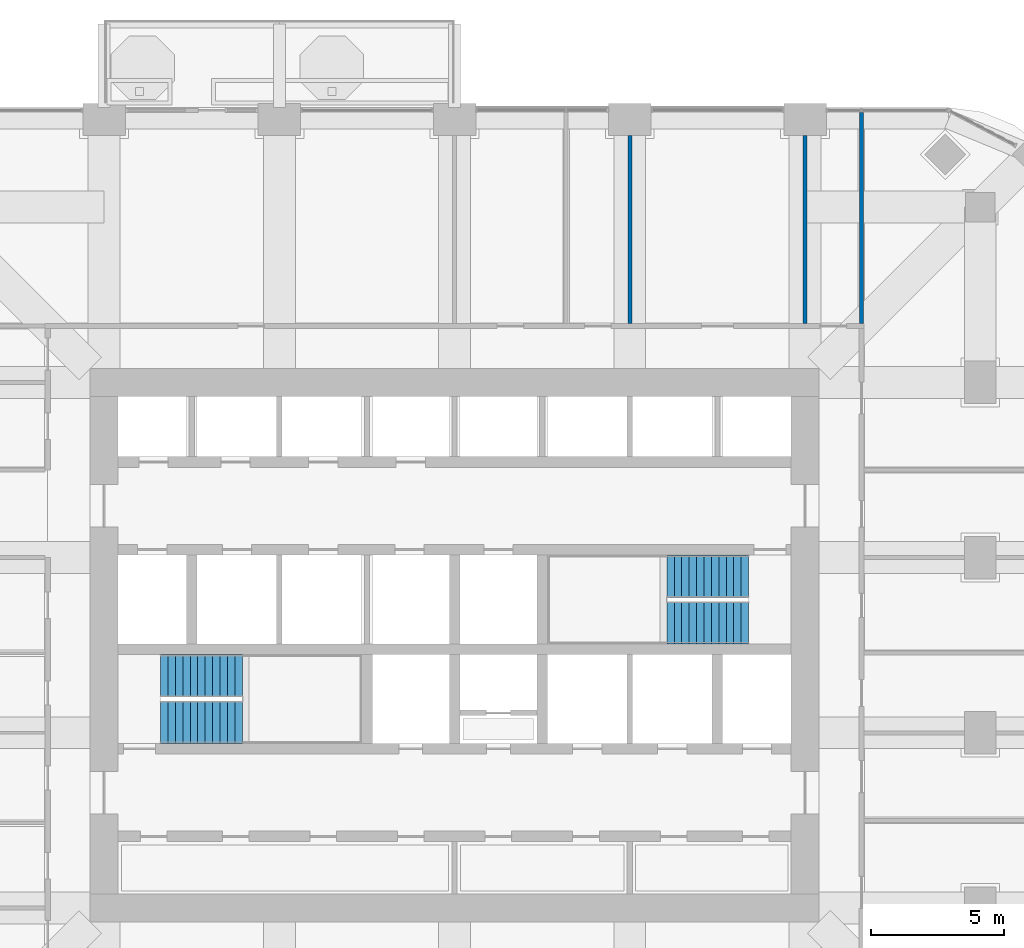
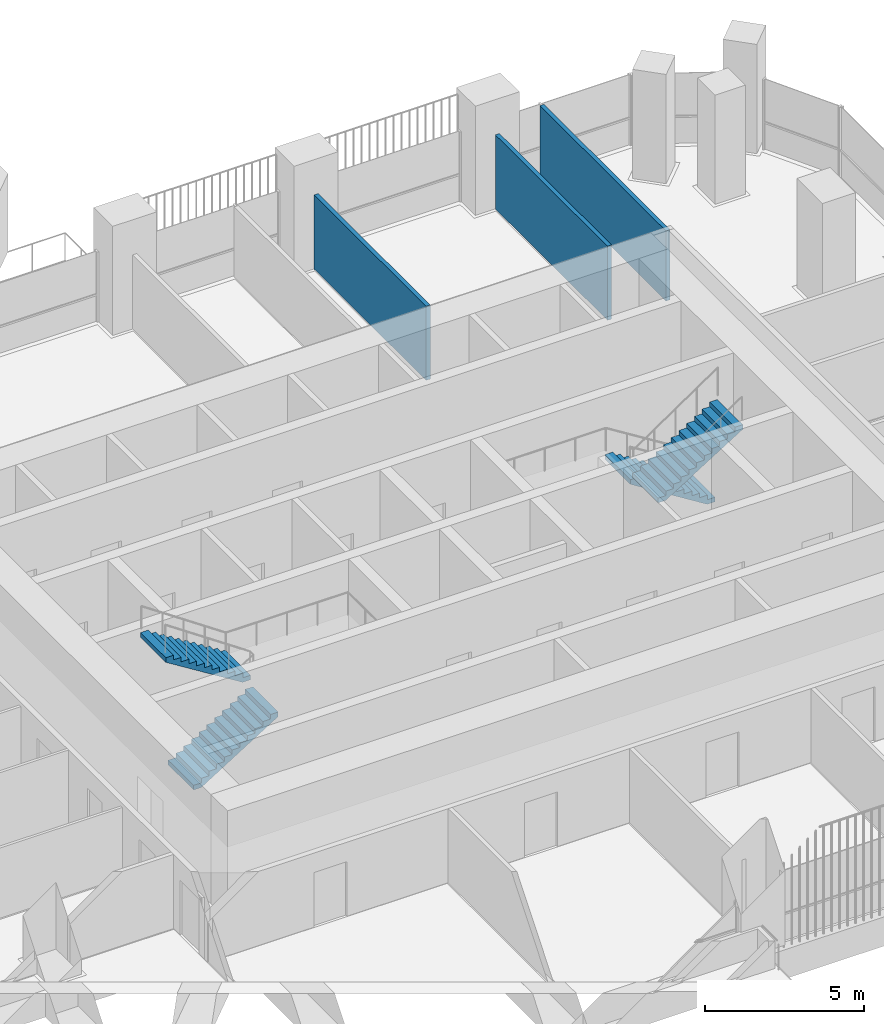
# One storey, part 15 of 20: 4 stair flights, 3 walls, 2 elements without a shape of their own.
"""IFC4 building model written with IfcOpenShell, lengths in metres."""

from ifc_helpers import new_model, si_unit, direction, frame, frame_2d, origin, place, context, subcontext, project, spatial, polyline, rectangle, outline, extrude, material, layer, layer_set, type_object, element, aggregate, save


model = new_model("IFC4")

# Units and contexts
model_context = context("Model", 3, precision=1e-05, world=origin(), true_north=direction((0.0, 1.0)))
body_context = subcontext(model_context, "Body", "Model", "MODEL_VIEW")
ifc_project = project(units=[si_unit("LENGTHUNIT", "METRE"), si_unit("AREAUNIT", "SQUARE_METRE"), si_unit("VOLUMEUNIT", "CUBIC_METRE"), si_unit("PLANEANGLEUNIT", "RADIAN"), si_unit("MASSUNIT", "GRAM", prefix="KILO")], contexts=[model_context])

# Site, building, storey
site_placement = place(None, origin())
site = spatial("IfcSite", under=ifc_project, at=site_placement, CompositionType="ELEMENT")
building_placement = place(site_placement, origin())
building = spatial("IfcBuilding", under=site, at=building_placement, Name="Cobogo Forest Laboratory Tower", CompositionType="ELEMENT")
storey_placement = place(building_placement, frame((0.0, 0.0, 185.10009765625)))
storey = spatial("IfcBuildingStorey", under=building, at=storey_placement, Name="L42", CompositionType="ELEMENT", Elevation=185.10009765625)

# Walls
ifc_material_1 = material(Name="Gypsum board on steel studs", Category="steel")
ifc_layer = layer(ifc_material_1, 0.14990234375)
ifc_layer_set = layer_set([ifc_layer], Name="PT1 laboratory partition 150")
wall_type = type_object("IfcWallType", Name="PT1 laboratory partition 150", PredefinedType="PARTITIONING", material=ifc_layer_set)
wall_placement = place(storey_placement, frame((41.72509765625, 43.169921875, 0.0), z_axis=(0.0, 0.0, 1.0), x_axis=(0.0, -1.0, 0.0)))
element("IfcWall", 1, at=wall_placement, inside=storey, type_object=wall_type, Name="Partition PW-NE L42", PredefinedType="PARTITIONING", context=body_context, shape_type="SweptSolid", body=[
    extrude(rectangle(XDim=7.94482421875, YDim=0.14990234375, at=frame_2d((3.972412109375, 0.0))), origin(), (0.0, 0.0, 1.0), 2.699951171875),
])
for number, where, z_axis, x_axis, name in (
    (2, (33.0, 42.300048828125, 0.0), (0.0, 0.0, 1.0), (0.0, -1.0, 0.0), "Partition SVC-N2-1 L42"),
    (3, (39.60009765625, 42.300048828125, 0.0), (0.0, 0.0, 1.0), (0.0, -1.0, 0.0), "Partition CUT-N39.6-1 L42"),
):
    element("IfcWall", number, at=place(storey_placement, frame(where, z_axis=z_axis, x_axis=x_axis)), inside=storey, type_object=wall_type, Name=name, PredefinedType="PARTITIONING", context=body_context, shape_type="SweptSolid", body=[
        extrude(rectangle(XDim=7.074951171875, YDim=0.14990234375, at=frame_2d((3.53759765625, 0.0))), origin(), (0.0, 0.0, 1.0), 2.849853515625),
    ])

# Stair, stair flights
ifc_material_2 = material(Name="Precast concrete HA-40 (C40/50)", Category="concrete")
stair_type = type_object("IfcStairType", Name="ST24 exit stair 24 risers", PredefinedType="HALF_TURN_STAIR", material=ifc_material_2)
stair_1_placement = place(storey_placement, origin())
stair_1 = element("IfcStair", 4, at=stair_1_placement, inside=storey, type_object=stair_type, Name="Stair 1 L42 to L43", PredefinedType="HALF_TURN_STAIR")
stair_flight_type = type_object("IfcStairFlightType", Name="ST stair flight 280 going", PredefinedType="STRAIGHT", material=ifc_material_2)
stair_flight_1_placement = place(storey_placement, frame((15.324951171875, 20.199951171875, 0.0), z_axis=(0.0, 0.0, 1.0), x_axis=(1.0, 0.0, 0.0)))
stair_flight_1 = element("IfcStairFlight", 5, at=stair_flight_1_placement, type_object=stair_flight_type, Name="ST1 flight 1", NumberOfRisers=12, NumberOfTreads=11, PredefinedType="STRAIGHT", RiserHeight=0.175, TreadLength=0.28, context=body_context, shape_type="SweptSolid", body=[
    extrude(outline(polyline([(0.0, 0.0), (0.0, 0.175048828125), (0.280029296875, 0.175048828125), (0.280029296875, 0.35009765625), (0.56005859375, 0.35009765625), (0.56005859375, 0.52490234375), (0.840087890625, 0.52490234375), (0.840087890625, 0.699951171875), (1.1201171875, 0.699951171875), (1.1201171875, 0.875), (1.39990234375, 0.875), (1.39990234375, 1.050048828125), (1.679931640625, 1.050048828125), (1.679931640625, 1.22509765625), (1.9599609375, 1.22509765625), (1.9599609375, 1.39990234375), (2.239990234375, 1.39990234375), (2.239990234375, 1.574951171875), (2.52001953125, 1.574951171875), (2.52001953125, 1.75), (2.800048828125, 1.75), (2.800048828125, 1.925048828125), (3.080078125, 1.925048828125), (3.080078125, 2.10009765625), (3.080078125, 1.748291015625), (0.28271484375, 0.0), (0.0, 0.0)])), frame((0.0, 0.800048828125, 0.0), z_axis=(0.0, -1.0, 0.0), x_axis=(1.0, 0.0, 0.0)), (0.0, 0.0, 1.0), 1.60009765625),
])
stair_flight_2_placement = place(storey_placement, frame((18.405029296875, 21.949951171875, 2.099853515625), z_axis=(0.0, 0.0, 1.0), x_axis=(-1.0, 0.0, 0.0)))
stair_flight_2 = element("IfcStairFlight", 6, at=stair_flight_2_placement, type_object=stair_flight_type, Name="ST1 flight 2", NumberOfRisers=12, NumberOfTreads=11, PredefinedType="STRAIGHT", RiserHeight=0.175, TreadLength=0.28, context=body_context, shape_type="SweptSolid", body=[
    extrude(outline(polyline([(0.0, 0.0), (0.0, 0.175048828125), (0.280029296875, 0.175048828125), (0.280029296875, 0.35009765625), (0.56005859375, 0.35009765625), (0.56005859375, 0.52490234375), (0.840087890625, 0.52490234375), (0.840087890625, 0.699951171875), (1.1201171875, 0.699951171875), (1.1201171875, 0.875), (1.39990234375, 0.875), (1.39990234375, 1.050048828125), (1.679931640625, 1.050048828125), (1.679931640625, 1.22509765625), (1.9599609375, 1.22509765625), (1.9599609375, 1.39990234375), (2.239990234375, 1.39990234375), (2.239990234375, 1.574951171875), (2.52001953125, 1.574951171875), (2.52001953125, 1.75), (2.800048828125, 1.75), (2.800048828125, 1.925048828125), (3.080078125, 1.925048828125), (3.080078125, 2.10009765625), (3.080078125, 1.748291015625), (0.28271484375, 0.0), (0.0, 0.0)])), frame((0.0, 0.800048828125, 0.0), z_axis=(0.0, -1.0, 0.0), x_axis=(1.0, 0.0, 0.0)), (0.0, 0.0, 1.0), 1.60009765625),
])
aggregate(stair_1, [stair_flight_1, stair_flight_2])

stair_2_placement = place(storey_placement, origin())
stair_2 = element("IfcStair", 7, at=stair_2_placement, inside=storey, type_object=stair_type, Name="Stair 2 L42 to L43", PredefinedType="HALF_TURN_STAIR")
stair_flight_3_placement = place(storey_placement, frame((37.47509765625, 25.699951171875, 0.0), z_axis=(0.0, 0.0, 1.0), x_axis=(-1.0, 0.0, 0.0)))
stair_flight_3 = element("IfcStairFlight", 8, at=stair_flight_3_placement, type_object=stair_flight_type, Name="ST2 flight 1", NumberOfRisers=12, NumberOfTreads=11, PredefinedType="STRAIGHT", RiserHeight=0.175, TreadLength=0.28, context=body_context, shape_type="SweptSolid", body=[
    extrude(outline(polyline([(0.0, 0.0), (0.0, 0.175048828125), (0.280029296875, 0.175048828125), (0.280029296875, 0.35009765625), (0.56005859375, 0.35009765625), (0.56005859375, 0.52490234375), (0.840087890625, 0.52490234375), (0.840087890625, 0.699951171875), (1.1201171875, 0.699951171875), (1.1201171875, 0.875), (1.39990234375, 0.875), (1.39990234375, 1.050048828125), (1.679931640625, 1.050048828125), (1.679931640625, 1.22509765625), (1.9599609375, 1.22509765625), (1.9599609375, 1.39990234375), (2.239990234375, 1.39990234375), (2.239990234375, 1.574951171875), (2.52001953125, 1.574951171875), (2.52001953125, 1.75), (2.800048828125, 1.75), (2.800048828125, 1.925048828125), (3.080078125, 1.925048828125), (3.080078125, 2.10009765625), (3.080078125, 1.748291015625), (0.28271484375, 0.0), (0.0, 0.0)])), frame((0.0, 0.800048828125, 0.0), z_axis=(0.0, -1.0, 0.0), x_axis=(1.0, 0.0, 0.0)), (0.0, 0.0, 1.0), 1.60009765625),
])
stair_flight_4_placement = place(storey_placement, frame((34.39501953125, 23.949951171875, 2.099853515625), z_axis=(0.0, 0.0, 1.0), x_axis=(1.0, 0.0, 0.0)))
stair_flight_4 = element("IfcStairFlight", 9, at=stair_flight_4_placement, type_object=stair_flight_type, Name="ST2 flight 2", NumberOfRisers=12, NumberOfTreads=11, PredefinedType="STRAIGHT", RiserHeight=0.175, TreadLength=0.28, context=body_context, shape_type="SweptSolid", body=[
    extrude(outline(polyline([(0.0, 0.0), (0.0, 0.175048828125), (0.280029296875, 0.175048828125), (0.280029296875, 0.35009765625), (0.56005859375, 0.35009765625), (0.56005859375, 0.52490234375), (0.840087890625, 0.52490234375), (0.840087890625, 0.699951171875), (1.1201171875, 0.699951171875), (1.1201171875, 0.875), (1.39990234375, 0.875), (1.39990234375, 1.050048828125), (1.679931640625, 1.050048828125), (1.679931640625, 1.22509765625), (1.9599609375, 1.22509765625), (1.9599609375, 1.39990234375), (2.239990234375, 1.39990234375), (2.239990234375, 1.574951171875), (2.52001953125, 1.574951171875), (2.52001953125, 1.75), (2.800048828125, 1.75), (2.800048828125, 1.925048828125), (3.080078125, 1.925048828125), (3.080078125, 2.10009765625), (3.080078125, 1.748291015625), (0.28271484375, 0.0), (0.0, 0.0)])), frame((0.0, 0.800048828125, 0.0), z_axis=(0.0, -1.0, 0.0), x_axis=(1.0, 0.0, 0.0)), (0.0, 0.0, 1.0), 1.60009765625),
])
aggregate(stair_2, [stair_flight_3, stair_flight_4])

save(model, "model.ifc")
